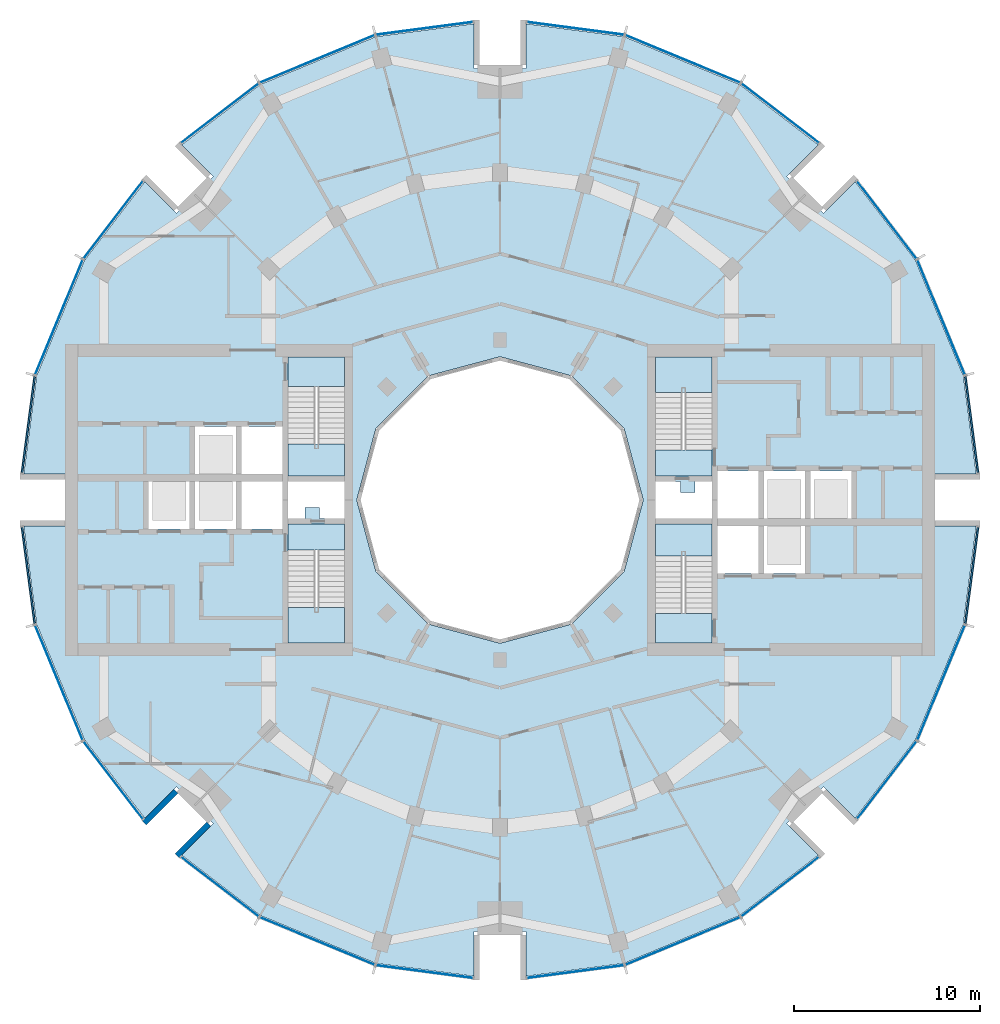
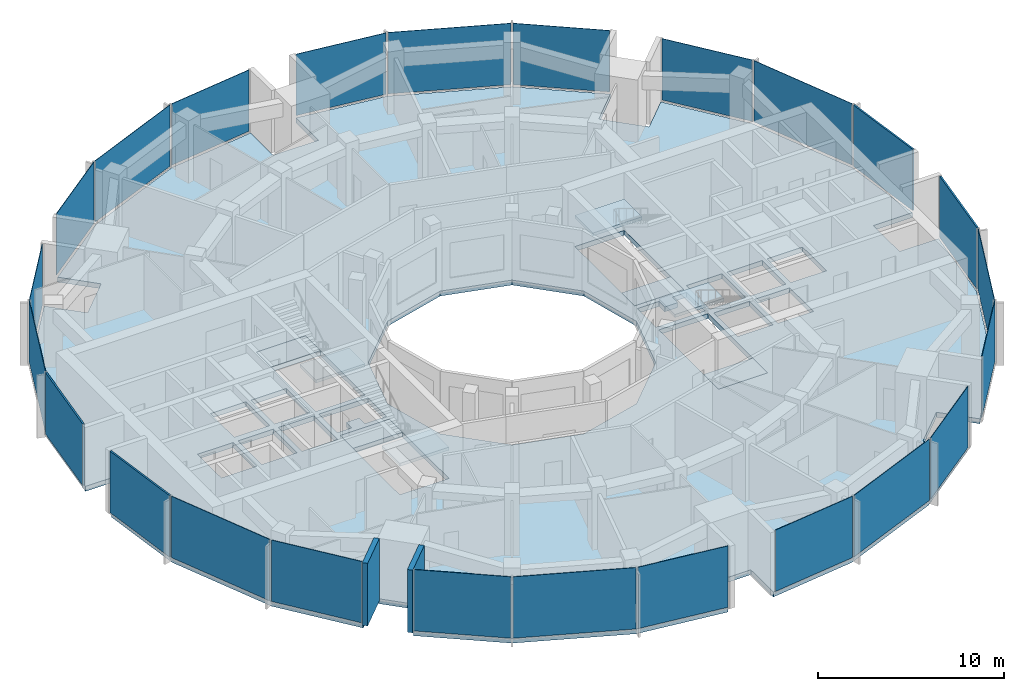
# One storey, part 7 of 15: 24 plates, 9 slabs, 2 walls, 28 elements without a shape of their own.
"""IFC4 building model written with IfcOpenShell, lengths in metres."""

from ifc_helpers import new_model, si_unit, direction, frame, frame_2d, origin, origin_2d, place, context, subcontext, project, spatial, polyline, rectangle, outline, extrude, material, layer, layer_set, type_object, element, aggregate, save


model = new_model("IFC4")

# Units and contexts
model_context = context("Model", 3, precision=1e-05, world=origin(), true_north=direction((0.0, 1.0)))
body_context = subcontext(model_context, "Body", "Model", "MODEL_VIEW")
ifc_project = project(units=[si_unit("LENGTHUNIT", "METRE"), si_unit("AREAUNIT", "SQUARE_METRE"), si_unit("VOLUMEUNIT", "CUBIC_METRE"), si_unit("PLANEANGLEUNIT", "RADIAN"), si_unit("MASSUNIT", "GRAM", prefix="KILO")], contexts=[model_context])

# Site, building, storey
site_placement = place(None, origin())
site = spatial("IfcSite", under=ifc_project, at=site_placement, CompositionType="ELEMENT")
building_placement = place(site_placement, origin())
building = spatial("IfcBuilding", under=site, at=building_placement, Name="Torre Brocal", CompositionType="ELEMENT")
storey_placement = place(building_placement, frame((0.0, 0.0, 178.199951171875)))
storey = spatial("IfcBuildingStorey", under=building, at=storey_placement, Name="L41", CompositionType="ELEMENT", Elevation=178.199951171875)

# Curtain wall, plate
ifc_material_1 = material(Name="Aluminium and glass", Category="aluminium")
ifc_layer_1 = layer(ifc_material_1, 0.199951171875)
ifc_layer_set_1 = layer_set([ifc_layer_1], Name="Aluminium and glass")
curtain_wall_type_1 = type_object("IfcCurtainWallType", Name="CW-1 CURTAIN WALL 4100 HIGH", PredefinedType="NOTDEFINED", material=ifc_layer_set_1)
curtain_wall_1_placement = place(storey_placement, origin())
curtain_wall_1 = element("IfcCurtainWall", 1, at=curtain_wall_1_placement, inside=storey, type_object=curtain_wall_type_1, Name="CW-1 RUN 2", PredefinedType="NOTDEFINED")
ifc_material_2 = material(Name="Glass, dark tinted laminated", Category="glass")
ifc_layer_2 = layer(ifc_material_2, 0.031982421875)
ifc_layer_set_2 = layer_set([ifc_layer_2], Name="Glass, dark tinted laminated")
plate_type_1 = type_object("IfcPlateType", Name="CW-1 GLASS PANEL 32", PredefinedType="CURTAIN_PANEL", material=ifc_layer_set_2)
plate_1_placement = place(storey_placement, frame((103.722900390625, 84.826416015625, 0.080078125), z_axis=(0.0, 0.0, 1.0), x_axis=(-0.382683432333, 0.923879532525, 0.0)))
plate_1 = element("IfcPlate", 2, at=plate_1_placement, type_object=plate_type_1, Name="CW1-4 panel 1.1", PredefinedType="CURTAIN_PANEL", context=body_context, shape_type="SweptSolid", body=[
    extrude(rectangle(XDim=6.64111328125, YDim=0.031982421875, at=origin_2d()), origin(), (0.0, 0.0, 1.0), 4.02001953125),
])
aggregate(curtain_wall_1, [plate_1])

curtain_wall_2_placement = place(storey_placement, origin())
curtain_wall_2 = element("IfcCurtainWall", 3, at=curtain_wall_2_placement, inside=storey, type_object=curtain_wall_type_1, Name="CW-1 RUN 3", PredefinedType="NOTDEFINED")
plate_2_placement = place(storey_placement, frame((100.80126953125, 90.0712890625, 0.080078125), z_axis=(0.0, 0.0, 1.0), x_axis=(-0.60876142905, 0.793353340259, 0.0)))
plate_2 = element("IfcPlate", 4, at=plate_2_placement, type_object=plate_type_1, Name="CW1-4 panel 1.1", PredefinedType="CURTAIN_PANEL", context=body_context, shape_type="SweptSolid", body=[
    extrude(rectangle(XDim=5.22900390625, YDim=0.031982421875, at=origin_2d()), origin(), (0.0, 0.0, 1.0), 4.02001953125),
])
aggregate(curtain_wall_2, [plate_2])

curtain_wall_3_placement = place(storey_placement, origin())
curtain_wall_3 = element("IfcCurtainWall", 5, at=curtain_wall_3_placement, inside=storey, type_object=curtain_wall_type_1, Name="CW-1 RUN 4", PredefinedType="NOTDEFINED")
plate_3_placement = place(storey_placement, frame((95.0712890625, 95.80126953125, 0.080078125), z_axis=(0.0, 0.0, 1.0), x_axis=(-0.793353340259, 0.60876142905, 0.0)))
plate_3 = element("IfcPlate", 6, at=plate_3_placement, type_object=plate_type_1, Name="CW1-4 panel 1.1", PredefinedType="CURTAIN_PANEL", context=body_context, shape_type="SweptSolid", body=[
    extrude(rectangle(XDim=5.22900390625, YDim=0.031982421875, at=origin_2d()), origin(), (0.0, 0.0, 1.0), 4.02001953125),
])
aggregate(curtain_wall_3, [plate_3])

curtain_wall_4_placement = place(storey_placement, origin())
curtain_wall_4 = element("IfcCurtainWall", 7, at=curtain_wall_4_placement, inside=storey, type_object=curtain_wall_type_1, Name="CW-1 RUN 5", PredefinedType="NOTDEFINED")
plate_4_placement = place(storey_placement, frame((89.826416015625, 98.722900390625, 0.080078125), z_axis=(0.0, 0.0, 1.0), x_axis=(-0.923879532525, 0.382683432333, 0.0)))
plate_4 = element("IfcPlate", 8, at=plate_4_placement, type_object=plate_type_1, Name="CW1-4 panel 1.1", PredefinedType="CURTAIN_PANEL", context=body_context, shape_type="SweptSolid", body=[
    extrude(rectangle(XDim=6.64111328125, YDim=0.031982421875, at=origin_2d()), origin(), (0.0, 0.0, 1.0), 4.02001953125),
])
aggregate(curtain_wall_4, [plate_4])

curtain_wall_5_placement = place(storey_placement, origin())
curtain_wall_5 = element("IfcCurtainWall", 9, at=curtain_wall_5_placement, inside=storey, type_object=curtain_wall_type_1, Name="CW-1 RUN 6", PredefinedType="NOTDEFINED")
plate_5_placement = place(storey_placement, frame((84.051513671875, 100.36572265625, 0.080078125), z_axis=(0.0, 0.0, 1.0), x_axis=(-0.991444861374, 0.13052619222, 0.0)))
plate_5 = element("IfcPlate", 10, at=plate_5_placement, type_object=plate_type_1, Name="CW1-4 panel 1.1", PredefinedType="CURTAIN_PANEL", context=body_context, shape_type="SweptSolid", body=[
    extrude(rectangle(XDim=5.22900390625, YDim=0.031982421875, at=origin_2d()), origin(), (0.0, 0.0, 1.0), 4.02001953125),
])
aggregate(curtain_wall_5, [plate_5])

curtain_wall_6_placement = place(storey_placement, origin())
curtain_wall_6 = element("IfcCurtainWall", 11, at=curtain_wall_6_placement, inside=storey, type_object=curtain_wall_type_1, Name="CW-1 RUN 7", PredefinedType="NOTDEFINED")
plate_6_placement = place(storey_placement, frame((75.948486328125, 100.36572265625, 0.080078125), z_axis=(0.0, 0.0, 1.0), x_axis=(-0.991444861374, -0.13052619222, 0.0)))
plate_6 = element("IfcPlate", 12, at=plate_6_placement, type_object=plate_type_1, Name="CW1-4 panel 1.1", PredefinedType="CURTAIN_PANEL", context=body_context, shape_type="SweptSolid", body=[
    extrude(rectangle(XDim=5.22900390625, YDim=0.031982421875, at=origin_2d()), origin(), (0.0, 0.0, 1.0), 4.02001953125),
])
aggregate(curtain_wall_6, [plate_6])

curtain_wall_7_placement = place(storey_placement, origin())
curtain_wall_7 = element("IfcCurtainWall", 13, at=curtain_wall_7_placement, inside=storey, type_object=curtain_wall_type_1, Name="CW-1 RUN 8", PredefinedType="NOTDEFINED")
plate_7_placement = place(storey_placement, frame((70.173583984375, 98.722900390625, 0.080078125), z_axis=(0.0, 0.0, 1.0), x_axis=(-0.923879532525, -0.382683432333, 0.0)))
plate_7 = element("IfcPlate", 14, at=plate_7_placement, type_object=plate_type_1, Name="CW1-4 panel 1.1", PredefinedType="CURTAIN_PANEL", context=body_context, shape_type="SweptSolid", body=[
    extrude(rectangle(XDim=6.64111328125, YDim=0.031982421875, at=origin_2d()), origin(), (0.0, 0.0, 1.0), 4.02001953125),
])
aggregate(curtain_wall_7, [plate_7])

curtain_wall_8_placement = place(storey_placement, origin())
curtain_wall_8 = element("IfcCurtainWall", 15, at=curtain_wall_8_placement, inside=storey, type_object=curtain_wall_type_1, Name="CW-1 RUN 9", PredefinedType="NOTDEFINED")
plate_8_placement = place(storey_placement, frame((64.9287109375, 95.80126953125, 0.080078125), z_axis=(0.0, 0.0, 1.0), x_axis=(-0.793353340259, -0.60876142905, 0.0)))
plate_8 = element("IfcPlate", 16, at=plate_8_placement, type_object=plate_type_1, Name="CW1-4 panel 1.1", PredefinedType="CURTAIN_PANEL", context=body_context, shape_type="SweptSolid", body=[
    extrude(rectangle(XDim=5.22900390625, YDim=0.031982421875, at=origin_2d()), origin(), (0.0, 0.0, 1.0), 4.02001953125),
])
aggregate(curtain_wall_8, [plate_8])

curtain_wall_9_placement = place(storey_placement, origin())
curtain_wall_9 = element("IfcCurtainWall", 17, at=curtain_wall_9_placement, inside=storey, type_object=curtain_wall_type_1, Name="CW-1 RUN 10", PredefinedType="NOTDEFINED")
plate_9_placement = place(storey_placement, frame((59.19873046875, 90.0712890625, 0.080078125), z_axis=(0.0, 0.0, 1.0), x_axis=(-0.60876142905, -0.793353340259, 0.0)))
plate_9 = element("IfcPlate", 18, at=plate_9_placement, type_object=plate_type_1, Name="CW1-4 panel 1.1", PredefinedType="CURTAIN_PANEL", context=body_context, shape_type="SweptSolid", body=[
    extrude(rectangle(XDim=5.22900390625, YDim=0.031982421875, at=origin_2d()), origin(), (0.0, 0.0, 1.0), 4.02001953125),
])
aggregate(curtain_wall_9, [plate_9])

curtain_wall_10_placement = place(storey_placement, origin())
curtain_wall_10 = element("IfcCurtainWall", 19, at=curtain_wall_10_placement, inside=storey, type_object=curtain_wall_type_1, Name="CW-1 RUN 11", PredefinedType="NOTDEFINED")
plate_10_placement = place(storey_placement, frame((56.277099609375, 84.826416015625, 0.080078125), z_axis=(0.0, 0.0, 1.0), x_axis=(-0.382683432333, -0.923879532525, 0.0)))
plate_10 = element("IfcPlate", 20, at=plate_10_placement, type_object=plate_type_1, Name="CW1-4 panel 1.1", PredefinedType="CURTAIN_PANEL", context=body_context, shape_type="SweptSolid", body=[
    extrude(rectangle(XDim=6.64111328125, YDim=0.031982421875, at=origin_2d()), origin(), (0.0, 0.0, 1.0), 4.02001953125),
])
aggregate(curtain_wall_10, [plate_10])

curtain_wall_11_placement = place(storey_placement, origin())
curtain_wall_11 = element("IfcCurtainWall", 21, at=curtain_wall_11_placement, inside=storey, type_object=curtain_wall_type_1, Name="CW-1 RUN 14", PredefinedType="NOTDEFINED")
plate_11_placement = place(storey_placement, frame((56.277099609375, 65.173583984375, 0.080078125), z_axis=(0.0, 0.0, 1.0), x_axis=(0.382683432333, -0.923879532525, 0.0)))
plate_11 = element("IfcPlate", 22, at=plate_11_placement, type_object=plate_type_1, Name="CW1-4 panel 1.1", PredefinedType="CURTAIN_PANEL", context=body_context, shape_type="SweptSolid", body=[
    extrude(rectangle(XDim=6.64111328125, YDim=0.031982421875, at=origin_2d()), origin(), (0.0, 0.0, 1.0), 4.02001953125),
])
aggregate(curtain_wall_11, [plate_11])

curtain_wall_12_placement = place(storey_placement, origin())
curtain_wall_12 = element("IfcCurtainWall", 23, at=curtain_wall_12_placement, inside=storey, type_object=curtain_wall_type_1, Name="CW-1 RUN 15", PredefinedType="NOTDEFINED")
plate_12_placement = place(storey_placement, frame((59.19873046875, 59.9287109375, 0.080078125), z_axis=(0.0, 0.0, 1.0), x_axis=(0.60876142905, -0.793353340259, 0.0)))
plate_12 = element("IfcPlate", 24, at=plate_12_placement, type_object=plate_type_1, Name="CW1-4 panel 1.1", PredefinedType="CURTAIN_PANEL", context=body_context, shape_type="SweptSolid", body=[
    extrude(rectangle(XDim=5.22900390625, YDim=0.031982421875, at=origin_2d()), origin(), (0.0, 0.0, 1.0), 4.02001953125),
])
aggregate(curtain_wall_12, [plate_12])

curtain_wall_13_placement = place(storey_placement, origin())
curtain_wall_13 = element("IfcCurtainWall", 25, at=curtain_wall_13_placement, inside=storey, type_object=curtain_wall_type_1, Name="CW-1 RUN 16", PredefinedType="NOTDEFINED")
plate_13_placement = place(storey_placement, frame((64.9287109375, 54.19873046875, 0.080078125), z_axis=(0.0, 0.0, 1.0), x_axis=(0.793353340259, -0.60876142905, 0.0)))
plate_13 = element("IfcPlate", 26, at=plate_13_placement, type_object=plate_type_1, Name="CW1-4 panel 1.1", PredefinedType="CURTAIN_PANEL", context=body_context, shape_type="SweptSolid", body=[
    extrude(rectangle(XDim=5.22900390625, YDim=0.031982421875, at=origin_2d()), origin(), (0.0, 0.0, 1.0), 4.02001953125),
])
aggregate(curtain_wall_13, [plate_13])

curtain_wall_14_placement = place(storey_placement, origin())
curtain_wall_14 = element("IfcCurtainWall", 27, at=curtain_wall_14_placement, inside=storey, type_object=curtain_wall_type_1, Name="CW-1 RUN 17", PredefinedType="NOTDEFINED")
plate_14_placement = place(storey_placement, frame((70.173583984375, 51.277099609375, 0.080078125), z_axis=(0.0, 0.0, 1.0), x_axis=(0.923879532525, -0.382683432333, 0.0)))
plate_14 = element("IfcPlate", 28, at=plate_14_placement, type_object=plate_type_1, Name="CW1-4 panel 1.1", PredefinedType="CURTAIN_PANEL", context=body_context, shape_type="SweptSolid", body=[
    extrude(rectangle(XDim=6.64111328125, YDim=0.031982421875, at=origin_2d()), origin(), (0.0, 0.0, 1.0), 4.02001953125),
])
aggregate(curtain_wall_14, [plate_14])

curtain_wall_15_placement = place(storey_placement, origin())
curtain_wall_15 = element("IfcCurtainWall", 29, at=curtain_wall_15_placement, inside=storey, type_object=curtain_wall_type_1, Name="CW-1 RUN 18", PredefinedType="NOTDEFINED")
plate_15_placement = place(storey_placement, frame((75.948486328125, 49.63427734375, 0.080078125), z_axis=(0.0, 0.0, 1.0), x_axis=(0.991444861374, -0.13052619222, 0.0)))
plate_15 = element("IfcPlate", 30, at=plate_15_placement, type_object=plate_type_1, Name="CW1-4 panel 1.1", PredefinedType="CURTAIN_PANEL", context=body_context, shape_type="SweptSolid", body=[
    extrude(rectangle(XDim=5.22900390625, YDim=0.031982421875, at=origin_2d()), origin(), (0.0, 0.0, 1.0), 4.02001953125),
])
aggregate(curtain_wall_15, [plate_15])

curtain_wall_16_placement = place(storey_placement, origin())
curtain_wall_16 = element("IfcCurtainWall", 31, at=curtain_wall_16_placement, inside=storey, type_object=curtain_wall_type_1, Name="CW-1 RUN 19", PredefinedType="NOTDEFINED")
plate_16_placement = place(storey_placement, frame((84.051513671875, 49.63427734375, 0.080078125), z_axis=(0.0, 0.0, 1.0), x_axis=(0.991444861374, 0.13052619222, 0.0)))
plate_16 = element("IfcPlate", 32, at=plate_16_placement, type_object=plate_type_1, Name="CW1-4 panel 1.1", PredefinedType="CURTAIN_PANEL", context=body_context, shape_type="SweptSolid", body=[
    extrude(rectangle(XDim=5.22900390625, YDim=0.031982421875, at=origin_2d()), origin(), (0.0, 0.0, 1.0), 4.02001953125),
])
aggregate(curtain_wall_16, [plate_16])

curtain_wall_17_placement = place(storey_placement, origin())
curtain_wall_17 = element("IfcCurtainWall", 33, at=curtain_wall_17_placement, inside=storey, type_object=curtain_wall_type_1, Name="CW-1 RUN 20", PredefinedType="NOTDEFINED")
plate_17_placement = place(storey_placement, frame((89.826416015625, 51.277099609375, 0.080078125), z_axis=(0.0, 0.0, 1.0), x_axis=(0.923879532525, 0.382683432333, 0.0)))
plate_17 = element("IfcPlate", 34, at=plate_17_placement, type_object=plate_type_1, Name="CW1-4 panel 1.1", PredefinedType="CURTAIN_PANEL", context=body_context, shape_type="SweptSolid", body=[
    extrude(rectangle(XDim=6.64111328125, YDim=0.031982421875, at=origin_2d()), origin(), (0.0, 0.0, 1.0), 4.02001953125),
])
aggregate(curtain_wall_17, [plate_17])

curtain_wall_18_placement = place(storey_placement, origin())
curtain_wall_18 = element("IfcCurtainWall", 35, at=curtain_wall_18_placement, inside=storey, type_object=curtain_wall_type_1, Name="CW-1 RUN 21", PredefinedType="NOTDEFINED")
plate_18_placement = place(storey_placement, frame((95.0712890625, 54.19873046875, 0.080078125), z_axis=(0.0, 0.0, 1.0), x_axis=(0.793353340259, 0.60876142905, 0.0)))
plate_18 = element("IfcPlate", 36, at=plate_18_placement, type_object=plate_type_1, Name="CW1-4 panel 1.1", PredefinedType="CURTAIN_PANEL", context=body_context, shape_type="SweptSolid", body=[
    extrude(rectangle(XDim=5.22900390625, YDim=0.031982421875, at=origin_2d()), origin(), (0.0, 0.0, 1.0), 4.02001953125),
])
aggregate(curtain_wall_18, [plate_18])

curtain_wall_19_placement = place(storey_placement, origin())
curtain_wall_19 = element("IfcCurtainWall", 37, at=curtain_wall_19_placement, inside=storey, type_object=curtain_wall_type_1, Name="CW-1 RUN 22", PredefinedType="NOTDEFINED")
plate_19_placement = place(storey_placement, frame((100.80126953125, 59.9287109375, 0.080078125), z_axis=(0.0, 0.0, 1.0), x_axis=(0.60876142905, 0.793353340259, 0.0)))
plate_19 = element("IfcPlate", 38, at=plate_19_placement, type_object=plate_type_1, Name="CW1-4 panel 1.1", PredefinedType="CURTAIN_PANEL", context=body_context, shape_type="SweptSolid", body=[
    extrude(rectangle(XDim=5.22900390625, YDim=0.031982421875, at=origin_2d()), origin(), (0.0, 0.0, 1.0), 4.02001953125),
])
aggregate(curtain_wall_19, [plate_19])

curtain_wall_20_placement = place(storey_placement, origin())
curtain_wall_20 = element("IfcCurtainWall", 39, at=curtain_wall_20_placement, inside=storey, type_object=curtain_wall_type_1, Name="CW-1 RUN 23", PredefinedType="NOTDEFINED")
plate_20_placement = place(storey_placement, frame((103.722900390625, 65.173583984375, 0.080078125), z_axis=(0.0, 0.0, 1.0), x_axis=(0.382683432333, 0.923879532525, 0.0)))
plate_20 = element("IfcPlate", 40, at=plate_20_placement, type_object=plate_type_1, Name="CW1-4 panel 1.1", PredefinedType="CURTAIN_PANEL", context=body_context, shape_type="SweptSolid", body=[
    extrude(rectangle(XDim=6.64111328125, YDim=0.031982421875, at=origin_2d()), origin(), (0.0, 0.0, 1.0), 4.02001953125),
])
aggregate(curtain_wall_20, [plate_20])

ifc_material_3 = material(Name="Aluminium and glass", Category="aluminium")
ifc_layer_3 = layer(ifc_material_3, 0.199951171875)
ifc_layer_set_3 = layer_set([ifc_layer_3], Name="Aluminium and glass")
curtain_wall_type_2 = type_object("IfcCurtainWallType", Name="CW-1B CURTAIN WALL 4100 HIGH", PredefinedType="NOTDEFINED", material=ifc_layer_set_3)
curtain_wall_21_placement = place(storey_placement, origin())
curtain_wall_21 = element("IfcCurtainWall", 41, at=curtain_wall_21_placement, inside=storey, type_object=curtain_wall_type_2, Name="CW-1B RUN 1", PredefinedType="NOTDEFINED")
ifc_material_4 = material(Name="Aluminium composite panel", Category="aluminium")
ifc_layer_4 = layer(ifc_material_4, 0.10009765625)
ifc_layer_set_4 = layer_set([ifc_layer_4], Name="Aluminium composite panel")
plate_type_2 = type_object("IfcPlateType", Name="CW-1B OPAQUE PANEL 100", PredefinedType="CURTAIN_PANEL", material=ifc_layer_set_4)
plate_21_placement = place(storey_placement, frame((105.36572265625, 79.051513671875, 0.080078125), z_axis=(0.0, 0.0, 1.0), x_axis=(-0.13052619222, 0.991444861374, 0.0)))
plate_21 = element("IfcPlate", 42, at=plate_21_placement, type_object=plate_type_2, Name="CW1B-4 panel 1.1", PredefinedType="CURTAIN_PANEL", context=body_context, shape_type="SweptSolid", body=[
    extrude(rectangle(XDim=5.22900390625, YDim=0.10009765625, at=origin_2d()), origin(), (0.0, 0.0, 1.0), 4.02001953125),
])
aggregate(curtain_wall_21, [plate_21])

curtain_wall_22_placement = place(storey_placement, origin())
curtain_wall_22 = element("IfcCurtainWall", 43, at=curtain_wall_22_placement, inside=storey, type_object=curtain_wall_type_2, Name="CW-1B RUN 12", PredefinedType="NOTDEFINED")
plate_22_placement = place(storey_placement, frame((54.63427734375, 79.051513671875, 0.080078125), z_axis=(0.0, 0.0, 1.0), x_axis=(-0.13052619222, -0.991444861374, 0.0)))
plate_22 = element("IfcPlate", 44, at=plate_22_placement, type_object=plate_type_2, Name="CW1B-4 panel 1.1", PredefinedType="CURTAIN_PANEL", context=body_context, shape_type="SweptSolid", body=[
    extrude(rectangle(XDim=5.22900390625, YDim=0.10009765625, at=origin_2d()), origin(), (0.0, 0.0, 1.0), 4.02001953125),
])
aggregate(curtain_wall_22, [plate_22])

curtain_wall_23_placement = place(storey_placement, origin())
curtain_wall_23 = element("IfcCurtainWall", 45, at=curtain_wall_23_placement, inside=storey, type_object=curtain_wall_type_2, Name="CW-1B RUN 13", PredefinedType="NOTDEFINED")
plate_23_placement = place(storey_placement, frame((54.63427734375, 70.948486328125, 0.080078125), z_axis=(0.0, 0.0, 1.0), x_axis=(0.13052619222, -0.991444861374, 0.0)))
plate_23 = element("IfcPlate", 46, at=plate_23_placement, type_object=plate_type_2, Name="CW1B-4 panel 1.1", PredefinedType="CURTAIN_PANEL", context=body_context, shape_type="SweptSolid", body=[
    extrude(rectangle(XDim=5.22900390625, YDim=0.10009765625, at=origin_2d()), origin(), (0.0, 0.0, 1.0), 4.02001953125),
])
aggregate(curtain_wall_23, [plate_23])

curtain_wall_24_placement = place(storey_placement, origin())
curtain_wall_24 = element("IfcCurtainWall", 47, at=curtain_wall_24_placement, inside=storey, type_object=curtain_wall_type_2, Name="CW-1B RUN 24", PredefinedType="NOTDEFINED")
plate_24_placement = place(storey_placement, frame((105.36572265625, 70.948486328125, 0.080078125), z_axis=(0.0, 0.0, 1.0), x_axis=(0.13052619222, 0.991444861374, 0.0)))
plate_24 = element("IfcPlate", 48, at=plate_24_placement, type_object=plate_type_2, Name="CW1B-4 panel 1.1", PredefinedType="CURTAIN_PANEL", context=body_context, shape_type="SweptSolid", body=[
    extrude(rectangle(XDim=5.22900390625, YDim=0.10009765625, at=origin_2d()), origin(), (0.0, 0.0, 1.0), 4.02001953125),
])
aggregate(curtain_wall_24, [plate_24])

# Stair, slab
ifc_material_5 = material(Name="Concrete C50", Category="concrete")
stair_type = type_object("IfcStairType", Name="EXIT STAIR", PredefinedType="HALF_TURN_STAIR", material=ifc_material_5)
stair_1_placement = place(storey_placement, origin())
stair_1 = element("IfcStair", 49, at=stair_1_placement, inside=storey, type_object=stair_type, Name="EXIT STAIR ST1", PredefinedType="HALF_TURN_STAIR")
ifc_material_6 = material(Name="Concrete C50", Category="concrete")
ifc_layer_5 = layer(ifc_material_6, 0.320068359375)
ifc_layer_set_5 = layer_set([ifc_layer_5], Name="Concrete C50")
slab_type_1 = type_object("IfcSlabType", Name="FLOOR LANDING 320", PredefinedType="LANDING", material=ifc_layer_set_5)
slab_1_placement = place(storey_placement, frame((0.0, 0.0, -0.320068359375)))
slab_1 = element("IfcSlab", 50, at=slab_1_placement, type_object=slab_type_1, Name="ST1 landing 1", PredefinedType="LANDING", context=body_context, shape_type="SweptSolid", body=[
    extrude(outline(polyline([(88.35009765625, 76.300048828125), (91.39990234375, 76.300048828125), (91.39990234375, 77.699951171875), (88.35009765625, 77.699951171875), (88.35009765625, 76.300048828125)])), origin(), (0.0, 0.0, 1.0), 0.320068359375),
])

stair_2_placement = place(storey_placement, origin())
stair_2 = element("IfcStair", 51, at=stair_2_placement, inside=storey, type_object=stair_type, Name="EXIT STAIR ST2", PredefinedType="HALF_TURN_STAIR")
slab_2_placement = place(storey_placement, frame((0.0, 0.0, -0.320068359375)))
slab_2 = element("IfcSlab", 52, at=slab_2_placement, type_object=slab_type_1, Name="ST2 landing 1", PredefinedType="LANDING", context=body_context, shape_type="SweptSolid", body=[
    extrude(outline(polyline([(88.35009765625, 67.300048828125), (91.39990234375, 67.300048828125), (91.39990234375, 68.89990234375), (88.35009765625, 68.89990234375), (88.35009765625, 67.300048828125)])), origin(), (0.0, 0.0, 1.0), 0.320068359375),
])

stair_3_placement = place(storey_placement, origin())
stair_3 = element("IfcStair", 53, at=stair_3_placement, inside=storey, type_object=stair_type, Name="EXIT STAIR ST3", PredefinedType="HALF_TURN_STAIR")
slab_3_placement = place(storey_placement, frame((0.0, 0.0, -0.320068359375)))
slab_3 = element("IfcSlab", 54, at=slab_3_placement, type_object=slab_type_1, Name="ST3 landing 1", PredefinedType="LANDING", context=body_context, shape_type="SweptSolid", body=[
    extrude(outline(polyline([(71.64990234375, 73.699951171875), (68.60009765625, 73.699951171875), (68.60009765625, 72.300048828125), (71.64990234375, 72.300048828125), (71.64990234375, 73.699951171875)])), origin(), (0.0, 0.0, 1.0), 0.320068359375),
])

stair_4_placement = place(storey_placement, origin())
stair_4 = element("IfcStair", 55, at=stair_4_placement, inside=storey, type_object=stair_type, Name="EXIT STAIR ST4", PredefinedType="HALF_TURN_STAIR")
slab_4_placement = place(storey_placement, frame((0.0, 0.0, -0.320068359375)))
slab_4 = element("IfcSlab", 56, at=slab_4_placement, type_object=slab_type_1, Name="ST4 landing 1", PredefinedType="LANDING", context=body_context, shape_type="SweptSolid", body=[
    extrude(outline(polyline([(71.64990234375, 82.699951171875), (68.60009765625, 82.699951171875), (68.60009765625, 81.10009765625), (71.64990234375, 81.10009765625), (71.64990234375, 82.699951171875)])), origin(), (0.0, 0.0, 1.0), 0.320068359375),
])

# Slab
ifc_material_7 = material(Name="Concrete C50", Category="concrete")
ifc_layer_6 = layer(ifc_material_7, 0.199951171875)
ifc_layer_set_6 = layer_set([ifc_layer_6], Name="Concrete C50")
slab_type_2 = type_object("IfcSlabType", Name="MID LANDING +2050", PredefinedType="LANDING", material=ifc_layer_set_6)
slab_5_placement = place(storey_placement, frame((0.0, 0.0, 1.85009765625)))
slab_5 = element("IfcSlab", 57, at=slab_5_placement, type_object=slab_type_2, Name="ST1 landing 2", PredefinedType="LANDING", context=body_context, shape_type="SweptSolid", body=[
    extrude(outline(polyline([(88.35009765625, 80.780029296875), (91.39990234375, 80.780029296875), (91.39990234375, 82.699951171875), (88.35009765625, 82.699951171875), (88.35009765625, 80.780029296875)])), origin(), (0.0, 0.0, 1.0), 0.199951171875),
])

aggregate(stair_1, [slab_1, slab_5])

slab_6_placement = place(storey_placement, frame((0.0, 0.0, 1.85009765625)))
slab_6 = element("IfcSlab", 58, at=slab_6_placement, type_object=slab_type_2, Name="ST2 landing 2", PredefinedType="LANDING", context=body_context, shape_type="SweptSolid", body=[
    extrude(outline(polyline([(88.35009765625, 71.97998046875), (91.39990234375, 71.97998046875), (91.39990234375, 73.699951171875), (88.35009765625, 73.699951171875), (88.35009765625, 71.97998046875)])), origin(), (0.0, 0.0, 1.0), 0.199951171875),
])

aggregate(stair_2, [slab_2, slab_6])

slab_7_placement = place(storey_placement, frame((0.0, 0.0, 1.85009765625)))
slab_7 = element("IfcSlab", 59, at=slab_7_placement, type_object=slab_type_2, Name="ST3 landing 2", PredefinedType="LANDING", context=body_context, shape_type="SweptSolid", body=[
    extrude(outline(polyline([(71.64990234375, 69.219970703125), (68.60009765625, 69.219970703125), (68.60009765625, 67.300048828125), (71.64990234375, 67.300048828125), (71.64990234375, 69.219970703125)])), origin(), (0.0, 0.0, 1.0), 0.199951171875),
])

aggregate(stair_3, [slab_3, slab_7])

slab_8_placement = place(storey_placement, frame((0.0, 0.0, 1.85009765625)))
slab_8 = element("IfcSlab", 60, at=slab_8_placement, type_object=slab_type_2, Name="ST4 landing 2", PredefinedType="LANDING", context=body_context, shape_type="SweptSolid", body=[
    extrude(outline(polyline([(71.64990234375, 78.02001953125), (68.60009765625, 78.02001953125), (68.60009765625, 76.300048828125), (71.64990234375, 76.300048828125), (71.64990234375, 78.02001953125)])), origin(), (0.0, 0.0, 1.0), 0.199951171875),
])

aggregate(stair_4, [slab_4, slab_8])

ifc_material_8 = material(Name="Concrete C45", Category="concrete")
ifc_layer_7 = layer(ifc_material_8, 0.320068359375)
ifc_layer_set_7 = layer_set([ifc_layer_7], Name="Concrete C45")
slab_type_3 = type_object("IfcSlabType", Name="PT FLOOR SLAB 320 C45", PredefinedType="FLOOR", material=ifc_layer_set_7)
slab_9_placement = place(storey_placement, frame((0.0, 0.0, -0.320068359375)))
element("IfcSlab", 61, at=slab_9_placement, inside=storey, type_object=slab_type_3, Name="Slab ST-05", PredefinedType="FLOOR", context=body_context, shape_type="SweptSolid", body=[
    extrude(outline(polyline([(103.199951171875, 76.39990234375), (103.199951171875, 73.60009765625), (105.614013671875, 73.60009765625), (104.919189453125, 68.322998046875), (102.342041015625, 62.100830078125), (99.101806640625, 57.878173828125), (97.394775390625, 59.5849609375), (95.4150390625, 57.605224609375), (97.121826171875, 55.898193359375), (92.899169921875, 52.657958984375), (86.677001953125, 50.080810546875), (81.39990234375, 49.385986328125), (81.39990234375, 51.800048828125), (78.60009765625, 51.800048828125), (78.60009765625, 49.385986328125), (73.322998046875, 50.080810546875), (67.100830078125, 52.657958984375), (62.878173828125, 55.898193359375), (64.5849609375, 57.605224609375), (62.605224609375, 59.5849609375), (60.898193359375, 57.878173828125), (57.657958984375, 62.100830078125), (55.080810546875, 68.322998046875), (54.385986328125, 73.60009765625), (56.800048828125, 73.60009765625), (56.800048828125, 76.39990234375), (54.385986328125, 76.39990234375), (55.080810546875, 81.677001953125), (57.657958984375, 87.899169921875), (60.898193359375, 92.121826171875), (62.605224609375, 90.4150390625), (64.5849609375, 92.394775390625), (62.878173828125, 94.101806640625), (67.100830078125, 97.342041015625), (73.322998046875, 99.919189453125), (78.60009765625, 100.614013671875), (78.60009765625, 98.199951171875), (81.39990234375, 98.199951171875), (81.39990234375, 100.614013671875), (86.677001953125, 99.919189453125), (92.899169921875, 97.342041015625), (97.121826171875, 94.101806640625), (95.4150390625, 92.394775390625), (97.394775390625, 90.4150390625), (99.101806640625, 92.121826171875), (102.342041015625, 87.899169921875), (104.919189453125, 81.677001953125), (105.614013671875, 76.39990234375), (103.199951171875, 76.39990234375)]), holes=[polyline([(98.89990234375, 76.550048828125), (96.699951171875, 76.550048828125), (96.699951171875, 74.0), (98.89990234375, 74.0), (98.89990234375, 76.550048828125)]), polyline([(96.39990234375, 76.550048828125), (94.199951171875, 76.550048828125), (94.199951171875, 74.0), (96.39990234375, 74.0), (96.39990234375, 76.550048828125)]), polyline([(96.39990234375, 73.60009765625), (94.199951171875, 73.60009765625), (94.199951171875, 71.050048828125), (96.39990234375, 71.050048828125), (96.39990234375, 73.60009765625)]), polyline([(93.89990234375, 76.550048828125), (91.699951171875, 76.550048828125), (91.699951171875, 74.0), (93.89990234375, 74.0), (93.89990234375, 76.550048828125)]), polyline([(93.89990234375, 73.60009765625), (91.699951171875, 73.60009765625), (91.699951171875, 71.050048828125), (93.89990234375, 71.050048828125), (93.89990234375, 73.60009765625)]), polyline([(89.699951171875, 76.0), (88.35009765625, 76.0), (88.35009765625, 74.0), (91.39990234375, 74.0), (91.39990234375, 76.0), (90.5, 76.0), (90.5, 75.39990234375), (89.699951171875, 75.39990234375), (89.699951171875, 76.0)]), polyline([(91.39990234375, 82.699951171875), (88.35009765625, 82.699951171875), (88.35009765625, 76.300048828125), (91.39990234375, 76.300048828125), (91.39990234375, 82.699951171875)]), polyline([(91.39990234375, 73.699951171875), (88.35009765625, 73.699951171875), (88.35009765625, 67.300048828125), (91.39990234375, 67.300048828125), (91.39990234375, 73.699951171875)]), polyline([(80.0, 82.70703125), (76.146484375, 81.674560546875), (73.325439453125, 78.853515625), (72.29296875, 75.0), (73.325439453125, 71.146484375), (76.146484375, 68.325439453125), (80.0, 67.29296875), (83.853515625, 68.325439453125), (86.674560546875, 71.146484375), (87.70703125, 75.0), (86.674560546875, 78.853515625), (83.853515625, 81.674560546875), (80.0, 82.70703125)]), polyline([(70.300048828125, 74.0), (71.64990234375, 74.0), (71.64990234375, 76.0), (68.60009765625, 76.0), (68.60009765625, 74.0), (69.5, 74.0), (69.5, 74.60009765625), (70.300048828125, 74.60009765625), (70.300048828125, 74.0)]), polyline([(68.60009765625, 76.300048828125), (71.64990234375, 76.300048828125), (71.64990234375, 82.699951171875), (68.60009765625, 82.699951171875), (68.60009765625, 76.300048828125)]), polyline([(68.60009765625, 67.300048828125), (71.64990234375, 67.300048828125), (71.64990234375, 73.699951171875), (68.60009765625, 73.699951171875), (68.60009765625, 67.300048828125)]), polyline([(66.10009765625, 76.39990234375), (68.300048828125, 76.39990234375), (68.300048828125, 78.949951171875), (66.10009765625, 78.949951171875), (66.10009765625, 76.39990234375)]), polyline([(66.10009765625, 73.449951171875), (68.300048828125, 73.449951171875), (68.300048828125, 76.0), (66.10009765625, 76.0), (66.10009765625, 73.449951171875)]), polyline([(63.60009765625, 76.39990234375), (65.800048828125, 76.39990234375), (65.800048828125, 78.949951171875), (63.60009765625, 78.949951171875), (63.60009765625, 76.39990234375)]), polyline([(63.60009765625, 73.449951171875), (65.800048828125, 73.449951171875), (65.800048828125, 76.0), (63.60009765625, 76.0), (63.60009765625, 73.449951171875)]), polyline([(61.10009765625, 73.449951171875), (63.300048828125, 73.449951171875), (63.300048828125, 76.0), (61.10009765625, 76.0), (61.10009765625, 73.449951171875)])]), origin(), (0.0, 0.0, 1.0), 0.320068359375),
])

# Walls
ifc_material_9 = material(Name="Concrete C70", Category="concrete")
ifc_layer_8 = layer(ifc_material_9, 0.300048828125)
ifc_layer_set_8 = layer_set([ifc_layer_8], Name="Concrete C70")
wall_type = type_object("IfcWallType", Name="NOTCH RETURN WALL 300 C70", PredefinedType="NOTDEFINED", material=ifc_layer_set_8)
for number, where, z_axis, x_axis, name in (
    (62, (62.56982421875, 59.337646484375, 0.0), (0.0, 0.0, 1.0), (-0.707106781187, -0.707106781187, 0.0), "NOTCH RETURN WALL"),
    (63, (64.337646484375, 57.56982421875, 0.0), (0.0, 0.0, 1.0), (-0.707106781187, -0.707106781187, 0.0), "NOTCH RETURN WALL"),
):
    element("IfcWall", number, at=place(storey_placement, frame(where, z_axis=z_axis, x_axis=x_axis)), inside=storey, type_object=wall_type, Name=name, PredefinedType="NOTDEFINED", context=body_context, shape_type="SweptSolid", body=[
        extrude(rectangle(XDim=2.415771484375, YDim=0.300048828125, at=frame_2d((1.2080078125, 0.0))), origin(), (0.0, 0.0, 1.0), 4.10009765625),
    ])

save(model, "model.ifc")
